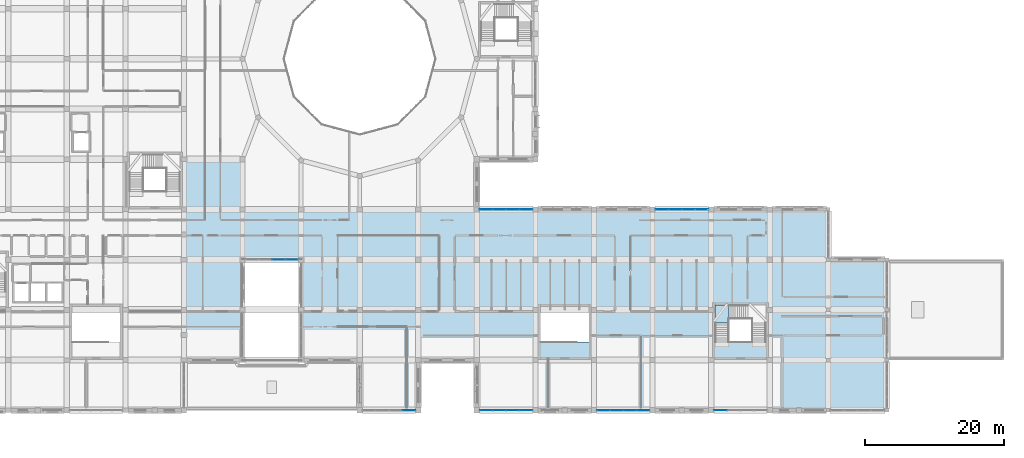
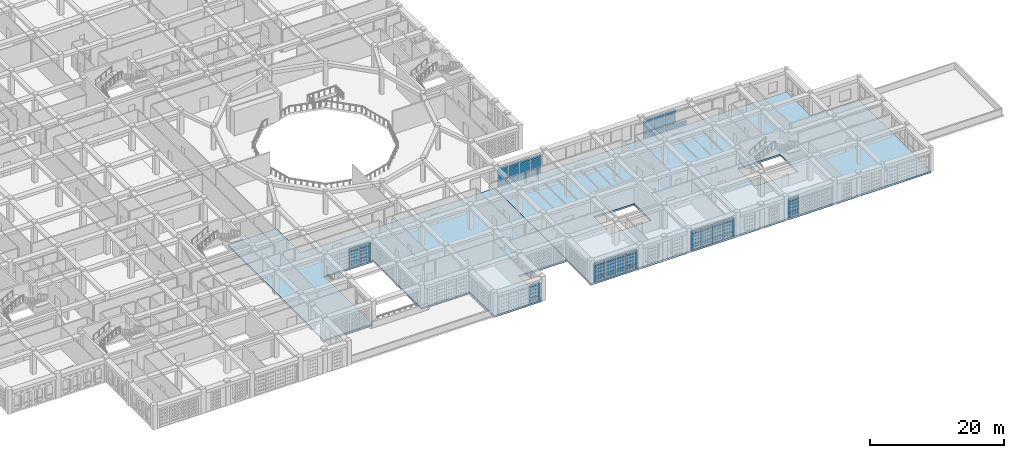
# One storey, part 51 of 111: 58 plates, 3 slabs, 8 elements without a shape of their own.
"""IFC4 building model written with IfcOpenShell, lengths in metres."""

from ifc_helpers import new_model, si_unit, derived_unit, direction, frame, origin, origin_2d, place, context, subcontext, project, spatial, polyline, rectangle, outline, extrude, material, layer, layer_set, type_object, element, aggregate, save


model = new_model("IFC4")

# Units and contexts
model_context = context("Model", 3, precision=1e-05, world=origin(), true_north=direction((0.0, 1.0)))
body_context = subcontext(model_context, "Body", "Model", "MODEL_VIEW")
ifc_project = project(units=[si_unit("LENGTHUNIT", "METRE"), si_unit("AREAUNIT", "SQUARE_METRE"), si_unit("VOLUMEUNIT", "CUBIC_METRE"), si_unit("PLANEANGLEUNIT", "RADIAN"), si_unit("MASSUNIT", "GRAM", prefix="KILO"), derived_unit("THERMALTRANSMITTANCEUNIT", [(si_unit("POWERUNIT", "WATT"), 1), (si_unit("LENGTHUNIT", "METRE"), -2), (si_unit("THERMODYNAMICTEMPERATUREUNIT", "KELVIN"), -1)])], contexts=[model_context])

# Site, building, storey
site_placement = place(None, origin())
site = spatial("IfcSite", under=ifc_project, at=site_placement, CompositionType="ELEMENT")
building_placement = place(site_placement, origin())
building = spatial("IfcBuilding", under=site, at=building_placement, Name="Veybourne Emporium", CompositionType="ELEMENT")
storey_placement = place(building_placement, frame((0.0, 0.0, 9.89990234375)))
storey = spatial("IfcBuildingStorey", under=building, at=storey_placement, Name="L02", CompositionType="ELEMENT", Elevation=9.89990234375)

# Curtain wall, plates
ifc_material_1 = material(Name="Patinated Architectural Bronze", Category="bronze")
curtain_wall_type_1 = type_object("IfcCurtainWallType", Name="CWSystem_CWS-15", PredefinedType="NOTDEFINED", material=ifc_material_1)
curtain_wall_1_placement = place(storey_placement, origin())
curtain_wall_1 = element("IfcCurtainWall", 1, at=curtain_wall_1_placement, inside=storey, type_object=curtain_wall_type_1, Name="L02 bronze glazed curtain wall CWS-15 (033)", PredefinedType="NOTDEFINED")
ifc_material_2 = material(Name="Low-E Triple Glazing", Category="glass")
ifc_layer_1 = layer(ifc_material_2, 0.028076171875)
ifc_layer_set_1 = layer_set([ifc_layer_1], Name="Low-E Triple Glazing")
plate_type = type_object("IfcPlateType", Name="CWPanel_CW-P1", PredefinedType="CURTAIN_PANEL", material=ifc_layer_set_1)
plate_1_placement = place(storey_placement, frame((65.849365234375, 21.60009765625, 0.078125), z_axis=(0.0, 0.0, 1.0), x_axis=(-1.0, 0.0, 0.0)))
plate_1 = element("IfcPlate", 2, at=plate_1_placement, type_object=plate_type, Name="CWS-15 panel 1.1", PredefinedType="CURTAIN_PANEL", context=body_context, shape_type="SweptSolid", body=[
    extrude(rectangle(XDim=1.79541015625, YDim=0.028076171875, at=origin_2d()), origin(), (0.0, 0.0, 1.0), 0.782958984375),
])
plate_2_placement = place(storey_placement, frame((65.849365234375, 21.60009765625, 0.93896484375), z_axis=(0.0, 0.0, 1.0), x_axis=(-1.0, 0.0, 0.0)))
plate_2 = element("IfcPlate", 3, at=plate_2_placement, type_object=plate_type, Name="CWS-15 panel 1.2", PredefinedType="CURTAIN_PANEL", context=body_context, shape_type="SweptSolid", body=[
    extrude(rectangle(XDim=1.79541015625, YDim=0.028076171875, at=origin_2d()), origin(), (0.0, 0.0, 1.0), 1.902099609375),
])
plate_3_placement = place(storey_placement, frame((65.849365234375, 21.60009765625, 2.9189453125), z_axis=(0.0, 0.0, 1.0), x_axis=(-1.0, 0.0, 0.0)))
plate_3 = element("IfcPlate", 4, at=plate_3_placement, type_object=plate_type, Name="CWS-15 panel 1.3", PredefinedType="CURTAIN_PANEL", context=body_context, shape_type="SweptSolid", body=[
    extrude(rectangle(XDim=1.79541015625, YDim=0.028076171875, at=origin_2d()), origin(), (0.0, 0.0, 1.0), 0.633056640625),
])
plate_4_placement = place(storey_placement, frame((63.956298828125, 21.60009765625, 0.078125), z_axis=(0.0, 0.0, 1.0), x_axis=(-1.0, 0.0, 0.0)))
plate_4 = element("IfcPlate", 5, at=plate_4_placement, type_object=plate_type, Name="CWS-15 panel 2.1", PredefinedType="CURTAIN_PANEL", context=body_context, shape_type="SweptSolid", body=[
    extrude(rectangle(XDim=1.83447265625, YDim=0.028076171875, at=origin_2d()), origin(), (0.0, 0.0, 1.0), 0.782958984375),
])
plate_5_placement = place(storey_placement, frame((63.956298828125, 21.60009765625, 0.93896484375), z_axis=(0.0, 0.0, 1.0), x_axis=(-1.0, 0.0, 0.0)))
plate_5 = element("IfcPlate", 6, at=plate_5_placement, type_object=plate_type, Name="CWS-15 panel 2.2", PredefinedType="CURTAIN_PANEL", context=body_context, shape_type="SweptSolid", body=[
    extrude(rectangle(XDim=1.83447265625, YDim=0.028076171875, at=origin_2d()), origin(), (0.0, 0.0, 1.0), 1.902099609375),
])
plate_6_placement = place(storey_placement, frame((63.956298828125, 21.60009765625, 2.9189453125), z_axis=(0.0, 0.0, 1.0), x_axis=(-1.0, 0.0, 0.0)))
plate_6 = element("IfcPlate", 7, at=plate_6_placement, type_object=plate_type, Name="CWS-15 panel 2.3", PredefinedType="CURTAIN_PANEL", context=body_context, shape_type="SweptSolid", body=[
    extrude(rectangle(XDim=1.83447265625, YDim=0.028076171875, at=origin_2d()), origin(), (0.0, 0.0, 1.0), 0.633056640625),
])
aggregate(curtain_wall_1, [plate_1, plate_2, plate_3, plate_4, plate_5, plate_6])

curtain_wall_type_2 = type_object("IfcCurtainWallType", Name="CWSystem_CWS-17", PredefinedType="NOTDEFINED", material=ifc_material_1)
curtain_wall_2_placement = place(storey_placement, origin())
curtain_wall_2 = element("IfcCurtainWall", 8, at=curtain_wall_2_placement, inside=storey, type_object=curtain_wall_type_2, Name="L02 bronze glazed curtain wall CWS-17 (039)", PredefinedType="NOTDEFINED")
plate_7_placement = place(storey_placement, frame((82.650634765625, 0.0, 0.072021484375), z_axis=(0.0, 0.0, 1.0), x_axis=(-1.0, 0.0, 0.0)))
plate_7 = element("IfcPlate", 9, at=plate_7_placement, type_object=plate_type, Name="CWS-17 panel 1.1", PredefinedType="CURTAIN_PANEL", context=body_context, shape_type="SweptSolid", body=[
    extrude(rectangle(XDim=1.804443359375, YDim=0.028076171875, at=origin_2d()), origin(), (0.0, 0.0, 1.0), 0.7919921875),
])
plate_8_placement = place(storey_placement, frame((82.650634765625, 0.0, 0.93603515625), z_axis=(0.0, 0.0, 1.0), x_axis=(-1.0, 0.0, 0.0)))
plate_8 = element("IfcPlate", 10, at=plate_8_placement, type_object=plate_type, Name="CWS-17 panel 1.2", PredefinedType="CURTAIN_PANEL", context=body_context, shape_type="SweptSolid", body=[
    extrude(rectangle(XDim=1.804443359375, YDim=0.028076171875, at=origin_2d()), origin(), (0.0, 0.0, 1.0), 1.907958984375),
])
plate_9_placement = place(storey_placement, frame((82.650634765625, 0.0, 2.916015625), z_axis=(0.0, 0.0, 1.0), x_axis=(-1.0, 0.0, 0.0)))
plate_9 = element("IfcPlate", 11, at=plate_9_placement, type_object=plate_type, Name="CWS-17 panel 1.3", PredefinedType="CURTAIN_PANEL", context=body_context, shape_type="SweptSolid", body=[
    extrude(rectangle(XDim=1.804443359375, YDim=0.028076171875, at=origin_2d()), origin(), (0.0, 0.0, 1.0), 0.64208984375),
])
aggregate(curtain_wall_2, [plate_7, plate_8, plate_9])

curtain_wall_type_3 = type_object("IfcCurtainWallType", Name="CWSystem_CWS-19", PredefinedType="NOTDEFINED", material=ifc_material_1)
curtain_wall_3_placement = place(storey_placement, origin())
curtain_wall_3 = element("IfcCurtainWall", 12, at=curtain_wall_3_placement, inside=storey, type_object=curtain_wall_type_3, Name="L02 bronze glazed curtain wall CWS-19 (046)", PredefinedType="NOTDEFINED")
plate_10_placement = place(storey_placement, frame((99.44921875, 0.0, 0.078125), z_axis=(0.0, 0.0, 1.0), x_axis=(-1.0, 0.0, 0.0)))
plate_10 = element("IfcPlate", 13, at=plate_10_placement, type_object=plate_type, Name="CWS-19 panel 1.1", PredefinedType="CURTAIN_PANEL", context=body_context, shape_type="SweptSolid", body=[
    extrude(rectangle(XDim=1.79541015625, YDim=0.028076171875, at=origin_2d()), origin(), (0.0, 0.0, 1.0), 0.782958984375),
])
plate_11_placement = place(storey_placement, frame((99.44921875, 0.0, 0.93896484375), z_axis=(0.0, 0.0, 1.0), x_axis=(-1.0, 0.0, 0.0)))
plate_11 = element("IfcPlate", 14, at=plate_11_placement, type_object=plate_type, Name="CWS-19 panel 1.2", PredefinedType="CURTAIN_PANEL", context=body_context, shape_type="SweptSolid", body=[
    extrude(rectangle(XDim=1.79541015625, YDim=0.028076171875, at=origin_2d()), origin(), (0.0, 0.0, 1.0), 1.902099609375),
])
plate_12_placement = place(storey_placement, frame((99.44921875, 0.0, 2.9189453125), z_axis=(0.0, 0.0, 1.0), x_axis=(-1.0, 0.0, 0.0)))
plate_12 = element("IfcPlate", 15, at=plate_12_placement, type_object=plate_type, Name="CWS-19 panel 1.3", PredefinedType="CURTAIN_PANEL", context=body_context, shape_type="SweptSolid", body=[
    extrude(rectangle(XDim=1.79541015625, YDim=0.028076171875, at=origin_2d()), origin(), (0.0, 0.0, 1.0), 0.633056640625),
])
plate_13_placement = place(storey_placement, frame((97.55615234375, 0.0, 0.078125), z_axis=(0.0, 0.0, 1.0), x_axis=(-1.0, 0.0, 0.0)))
plate_13 = element("IfcPlate", 16, at=plate_13_placement, type_object=plate_type, Name="CWS-19 panel 2.1", PredefinedType="CURTAIN_PANEL", context=body_context, shape_type="SweptSolid", body=[
    extrude(rectangle(XDim=1.83447265625, YDim=0.028076171875, at=origin_2d()), origin(), (0.0, 0.0, 1.0), 0.782958984375),
])
plate_14_placement = place(storey_placement, frame((97.55615234375, 0.0, 0.93896484375), z_axis=(0.0, 0.0, 1.0), x_axis=(-1.0, 0.0, 0.0)))
plate_14 = element("IfcPlate", 17, at=plate_14_placement, type_object=plate_type, Name="CWS-19 panel 2.2", PredefinedType="CURTAIN_PANEL", context=body_context, shape_type="SweptSolid", body=[
    extrude(rectangle(XDim=1.83447265625, YDim=0.028076171875, at=origin_2d()), origin(), (0.0, 0.0, 1.0), 1.902099609375),
])
plate_15_placement = place(storey_placement, frame((97.55615234375, 0.0, 2.9189453125), z_axis=(0.0, 0.0, 1.0), x_axis=(-1.0, 0.0, 0.0)))
plate_15 = element("IfcPlate", 18, at=plate_15_placement, type_object=plate_type, Name="CWS-19 panel 2.3", PredefinedType="CURTAIN_PANEL", context=body_context, shape_type="SweptSolid", body=[
    extrude(rectangle(XDim=1.83447265625, YDim=0.028076171875, at=origin_2d()), origin(), (0.0, 0.0, 1.0), 0.633056640625),
])
plate_16_placement = place(storey_placement, frame((95.643798828125, 0.0, 0.078125), z_axis=(0.0, 0.0, 1.0), x_axis=(-1.0, 0.0, 0.0)))
plate_16 = element("IfcPlate", 19, at=plate_16_placement, type_object=plate_type, Name="CWS-19 panel 3.1", PredefinedType="CURTAIN_PANEL", context=body_context, shape_type="SweptSolid", body=[
    extrude(rectangle(XDim=1.83447265625, YDim=0.028076171875, at=origin_2d()), origin(), (0.0, 0.0, 1.0), 0.782958984375),
])
plate_17_placement = place(storey_placement, frame((95.643798828125, 0.0, 0.93896484375), z_axis=(0.0, 0.0, 1.0), x_axis=(-1.0, 0.0, 0.0)))
plate_17 = element("IfcPlate", 20, at=plate_17_placement, type_object=plate_type, Name="CWS-19 panel 3.2", PredefinedType="CURTAIN_PANEL", context=body_context, shape_type="SweptSolid", body=[
    extrude(rectangle(XDim=1.83447265625, YDim=0.028076171875, at=origin_2d()), origin(), (0.0, 0.0, 1.0), 1.902099609375),
])
plate_18_placement = place(storey_placement, frame((95.643798828125, 0.0, 2.9189453125), z_axis=(0.0, 0.0, 1.0), x_axis=(-1.0, 0.0, 0.0)))
plate_18 = element("IfcPlate", 21, at=plate_18_placement, type_object=plate_type, Name="CWS-19 panel 3.3", PredefinedType="CURTAIN_PANEL", context=body_context, shape_type="SweptSolid", body=[
    extrude(rectangle(XDim=1.83447265625, YDim=0.028076171875, at=origin_2d()), origin(), (0.0, 0.0, 1.0), 0.633056640625),
])
plate_19_placement = place(storey_placement, frame((93.750732421875, 0.0, 0.078125), z_axis=(0.0, 0.0, 1.0), x_axis=(-1.0, 0.0, 0.0)))
plate_19 = element("IfcPlate", 22, at=plate_19_placement, type_object=plate_type, Name="CWS-19 panel 4.1", PredefinedType="CURTAIN_PANEL", context=body_context, shape_type="SweptSolid", body=[
    extrude(rectangle(XDim=1.79541015625, YDim=0.028076171875, at=origin_2d()), origin(), (0.0, 0.0, 1.0), 0.782958984375),
])
plate_20_placement = place(storey_placement, frame((93.750732421875, 0.0, 0.93896484375), z_axis=(0.0, 0.0, 1.0), x_axis=(-1.0, 0.0, 0.0)))
plate_20 = element("IfcPlate", 23, at=plate_20_placement, type_object=plate_type, Name="CWS-19 panel 4.2", PredefinedType="CURTAIN_PANEL", context=body_context, shape_type="SweptSolid", body=[
    extrude(rectangle(XDim=1.79541015625, YDim=0.028076171875, at=origin_2d()), origin(), (0.0, 0.0, 1.0), 1.902099609375),
])
plate_21_placement = place(storey_placement, frame((93.750732421875, 0.0, 2.9189453125), z_axis=(0.0, 0.0, 1.0), x_axis=(-1.0, 0.0, 0.0)))
plate_21 = element("IfcPlate", 24, at=plate_21_placement, type_object=plate_type, Name="CWS-19 panel 4.3", PredefinedType="CURTAIN_PANEL", context=body_context, shape_type="SweptSolid", body=[
    extrude(rectangle(XDim=1.79541015625, YDim=0.028076171875, at=origin_2d()), origin(), (0.0, 0.0, 1.0), 0.633056640625),
])
aggregate(curtain_wall_3, [plate_10, plate_11, plate_12, plate_13, plate_14, plate_15, plate_16, plate_17, plate_18, plate_19, plate_20, plate_21])

curtain_wall_type_4 = type_object("IfcCurtainWallType", Name="CWSystem_CWS-20", PredefinedType="NOTDEFINED", material=ifc_material_1)
curtain_wall_4_placement = place(storey_placement, origin())
curtain_wall_4 = element("IfcCurtainWall", 25, at=curtain_wall_4_placement, inside=storey, type_object=curtain_wall_type_4, Name="L02 bronze glazed curtain wall CWS-20 (048)", PredefinedType="NOTDEFINED")
plate_22_placement = place(storey_placement, frame((93.748779296875, 28.800048828125, 0.070068359375), z_axis=(0.0, 0.0, 1.0), x_axis=(1.0, 0.0, 0.0)))
plate_22 = element("IfcPlate", 26, at=plate_22_placement, type_object=plate_type, Name="CWS-20 panel 1.1", PredefinedType="CURTAIN_PANEL", context=body_context, shape_type="SweptSolid", body=[
    extrude(rectangle(XDim=1.8076171875, YDim=0.028076171875, at=origin_2d()), origin(), (0.0, 0.0, 1.0), 0.794921875),
])
plate_23_placement = place(storey_placement, frame((93.748779296875, 28.800048828125, 0.93505859375), z_axis=(0.0, 0.0, 1.0), x_axis=(1.0, 0.0, 0.0)))
plate_23 = element("IfcPlate", 27, at=plate_23_placement, type_object=plate_type, Name="CWS-20 panel 1.2", PredefinedType="CURTAIN_PANEL", context=body_context, shape_type="SweptSolid", body=[
    extrude(rectangle(XDim=1.8076171875, YDim=0.028076171875, at=origin_2d()), origin(), (0.0, 0.0, 1.0), 1.909912109375),
])
plate_24_placement = place(storey_placement, frame((93.748779296875, 28.800048828125, 2.9150390625), z_axis=(0.0, 0.0, 1.0), x_axis=(1.0, 0.0, 0.0)))
plate_24 = element("IfcPlate", 28, at=plate_24_placement, type_object=plate_type, Name="CWS-20 panel 1.3", PredefinedType="CURTAIN_PANEL", context=body_context, shape_type="SweptSolid", body=[
    extrude(rectangle(XDim=1.8076171875, YDim=0.028076171875, at=origin_2d()), origin(), (0.0, 0.0, 1.0), 0.64501953125),
])
plate_25_placement = place(storey_placement, frame((95.643798828125, 28.800048828125, 0.070068359375), z_axis=(0.0, 0.0, 1.0), x_axis=(1.0, 0.0, 0.0)))
plate_25 = element("IfcPlate", 29, at=plate_25_placement, type_object=plate_type, Name="CWS-20 panel 2.1", PredefinedType="CURTAIN_PANEL", context=body_context, shape_type="SweptSolid", body=[
    extrude(rectangle(XDim=1.842529296875, YDim=0.028076171875, at=origin_2d()), origin(), (0.0, 0.0, 1.0), 0.794921875),
])
plate_26_placement = place(storey_placement, frame((95.643798828125, 28.800048828125, 0.93505859375), z_axis=(0.0, 0.0, 1.0), x_axis=(1.0, 0.0, 0.0)))
plate_26 = element("IfcPlate", 30, at=plate_26_placement, type_object=plate_type, Name="CWS-20 panel 2.2", PredefinedType="CURTAIN_PANEL", context=body_context, shape_type="SweptSolid", body=[
    extrude(rectangle(XDim=1.842529296875, YDim=0.028076171875, at=origin_2d()), origin(), (0.0, 0.0, 1.0), 1.909912109375),
])
plate_27_placement = place(storey_placement, frame((95.643798828125, 28.800048828125, 2.9150390625), z_axis=(0.0, 0.0, 1.0), x_axis=(1.0, 0.0, 0.0)))
plate_27 = element("IfcPlate", 31, at=plate_27_placement, type_object=plate_type, Name="CWS-20 panel 2.3", PredefinedType="CURTAIN_PANEL", context=body_context, shape_type="SweptSolid", body=[
    extrude(rectangle(XDim=1.842529296875, YDim=0.028076171875, at=origin_2d()), origin(), (0.0, 0.0, 1.0), 0.64501953125),
])
plate_28_placement = place(storey_placement, frame((97.55615234375, 28.800048828125, 0.070068359375), z_axis=(0.0, 0.0, 1.0), x_axis=(1.0, 0.0, 0.0)))
plate_28 = element("IfcPlate", 32, at=plate_28_placement, type_object=plate_type, Name="CWS-20 panel 3.1", PredefinedType="CURTAIN_PANEL", context=body_context, shape_type="SweptSolid", body=[
    extrude(rectangle(XDim=1.842529296875, YDim=0.028076171875, at=origin_2d()), origin(), (0.0, 0.0, 1.0), 0.794921875),
])
plate_29_placement = place(storey_placement, frame((97.55615234375, 28.800048828125, 0.93505859375), z_axis=(0.0, 0.0, 1.0), x_axis=(1.0, 0.0, 0.0)))
plate_29 = element("IfcPlate", 33, at=plate_29_placement, type_object=plate_type, Name="CWS-20 panel 3.2", PredefinedType="CURTAIN_PANEL", context=body_context, shape_type="SweptSolid", body=[
    extrude(rectangle(XDim=1.842529296875, YDim=0.028076171875, at=origin_2d()), origin(), (0.0, 0.0, 1.0), 1.909912109375),
])
plate_30_placement = place(storey_placement, frame((97.55615234375, 28.800048828125, 2.9150390625), z_axis=(0.0, 0.0, 1.0), x_axis=(1.0, 0.0, 0.0)))
plate_30 = element("IfcPlate", 34, at=plate_30_placement, type_object=plate_type, Name="CWS-20 panel 3.3", PredefinedType="CURTAIN_PANEL", context=body_context, shape_type="SweptSolid", body=[
    extrude(rectangle(XDim=1.842529296875, YDim=0.028076171875, at=origin_2d()), origin(), (0.0, 0.0, 1.0), 0.64501953125),
])
plate_31_placement = place(storey_placement, frame((99.451171875, 28.800048828125, 0.070068359375), z_axis=(0.0, 0.0, 1.0), x_axis=(1.0, 0.0, 0.0)))
plate_31 = element("IfcPlate", 35, at=plate_31_placement, type_object=plate_type, Name="CWS-20 panel 4.1", PredefinedType="CURTAIN_PANEL", context=body_context, shape_type="SweptSolid", body=[
    extrude(rectangle(XDim=1.8076171875, YDim=0.028076171875, at=origin_2d()), origin(), (0.0, 0.0, 1.0), 0.794921875),
])
plate_32_placement = place(storey_placement, frame((99.451171875, 28.800048828125, 0.93505859375), z_axis=(0.0, 0.0, 1.0), x_axis=(1.0, 0.0, 0.0)))
plate_32 = element("IfcPlate", 36, at=plate_32_placement, type_object=plate_type, Name="CWS-20 panel 4.2", PredefinedType="CURTAIN_PANEL", context=body_context, shape_type="SweptSolid", body=[
    extrude(rectangle(XDim=1.8076171875, YDim=0.028076171875, at=origin_2d()), origin(), (0.0, 0.0, 1.0), 1.909912109375),
])
plate_33_placement = place(storey_placement, frame((99.451171875, 28.800048828125, 2.9150390625), z_axis=(0.0, 0.0, 1.0), x_axis=(1.0, 0.0, 0.0)))
plate_33 = element("IfcPlate", 37, at=plate_33_placement, type_object=plate_type, Name="CWS-20 panel 4.3", PredefinedType="CURTAIN_PANEL", context=body_context, shape_type="SweptSolid", body=[
    extrude(rectangle(XDim=1.8076171875, YDim=0.028076171875, at=origin_2d()), origin(), (0.0, 0.0, 1.0), 0.64501953125),
])
aggregate(curtain_wall_4, [plate_22, plate_23, plate_24, plate_25, plate_26, plate_27, plate_28, plate_29, plate_30, plate_31, plate_32, plate_33])

curtain_wall_type_5 = type_object("IfcCurtainWallType", Name="CWSystem_CWS-25", PredefinedType="NOTDEFINED", material=ifc_material_1)
curtain_wall_5_placement = place(storey_placement, origin())
curtain_wall_5 = element("IfcCurtainWall", 38, at=curtain_wall_5_placement, inside=storey, type_object=curtain_wall_type_5, Name="L02 bronze glazed curtain wall CWS-25 (063)", PredefinedType="NOTDEFINED")
plate_34_placement = place(storey_placement, frame((116.250732421875, 0.0, 0.072021484375), z_axis=(0.0, 0.0, 1.0), x_axis=(-1.0, 0.0, 0.0)))
plate_34 = element("IfcPlate", 39, at=plate_34_placement, type_object=plate_type, Name="CWS-25 panel 1.1", PredefinedType="CURTAIN_PANEL", context=body_context, shape_type="SweptSolid", body=[
    extrude(rectangle(XDim=1.804443359375, YDim=0.028076171875, at=origin_2d()), origin(), (0.0, 0.0, 1.0), 0.7919921875),
])
plate_35_placement = place(storey_placement, frame((116.250732421875, 0.0, 0.93603515625), z_axis=(0.0, 0.0, 1.0), x_axis=(-1.0, 0.0, 0.0)))
plate_35 = element("IfcPlate", 40, at=plate_35_placement, type_object=plate_type, Name="CWS-25 panel 1.2", PredefinedType="CURTAIN_PANEL", context=body_context, shape_type="SweptSolid", body=[
    extrude(rectangle(XDim=1.804443359375, YDim=0.028076171875, at=origin_2d()), origin(), (0.0, 0.0, 1.0), 1.907958984375),
])
plate_36_placement = place(storey_placement, frame((116.250732421875, 0.0, 2.916015625), z_axis=(0.0, 0.0, 1.0), x_axis=(-1.0, 0.0, 0.0)))
plate_36 = element("IfcPlate", 41, at=plate_36_placement, type_object=plate_type, Name="CWS-25 panel 1.3", PredefinedType="CURTAIN_PANEL", context=body_context, shape_type="SweptSolid", body=[
    extrude(rectangle(XDim=1.804443359375, YDim=0.028076171875, at=origin_2d()), origin(), (0.0, 0.0, 1.0), 0.64208984375),
])
plate_37_placement = place(storey_placement, frame((114.356201171875, 0.0, 0.072021484375), z_axis=(0.0, 0.0, 1.0), x_axis=(-1.0, 0.0, 0.0)))
plate_37 = element("IfcPlate", 42, at=plate_37_placement, type_object=plate_type, Name="CWS-25 panel 2.1", PredefinedType="CURTAIN_PANEL", context=body_context, shape_type="SweptSolid", body=[
    extrude(rectangle(XDim=1.840576171875, YDim=0.028076171875, at=origin_2d()), origin(), (0.0, 0.0, 1.0), 0.7919921875),
])
plate_38_placement = place(storey_placement, frame((114.356201171875, 0.0, 0.93603515625), z_axis=(0.0, 0.0, 1.0), x_axis=(-1.0, 0.0, 0.0)))
plate_38 = element("IfcPlate", 43, at=plate_38_placement, type_object=plate_type, Name="CWS-25 panel 2.2", PredefinedType="CURTAIN_PANEL", context=body_context, shape_type="SweptSolid", body=[
    extrude(rectangle(XDim=1.840576171875, YDim=0.028076171875, at=origin_2d()), origin(), (0.0, 0.0, 1.0), 1.907958984375),
])
plate_39_placement = place(storey_placement, frame((114.356201171875, 0.0, 2.916015625), z_axis=(0.0, 0.0, 1.0), x_axis=(-1.0, 0.0, 0.0)))
plate_39 = element("IfcPlate", 44, at=plate_39_placement, type_object=plate_type, Name="CWS-25 panel 2.3", PredefinedType="CURTAIN_PANEL", context=body_context, shape_type="SweptSolid", body=[
    extrude(rectangle(XDim=1.840576171875, YDim=0.028076171875, at=origin_2d()), origin(), (0.0, 0.0, 1.0), 0.64208984375),
])
plate_40_placement = place(storey_placement, frame((112.44384765625, 0.0, 0.072021484375), z_axis=(0.0, 0.0, 1.0), x_axis=(-1.0, 0.0, 0.0)))
plate_40 = element("IfcPlate", 45, at=plate_40_placement, type_object=plate_type, Name="CWS-25 panel 3.1", PredefinedType="CURTAIN_PANEL", context=body_context, shape_type="SweptSolid", body=[
    extrude(rectangle(XDim=1.840576171875, YDim=0.028076171875, at=origin_2d()), origin(), (0.0, 0.0, 1.0), 0.7919921875),
])
plate_41_placement = place(storey_placement, frame((112.44384765625, 0.0, 0.93603515625), z_axis=(0.0, 0.0, 1.0), x_axis=(-1.0, 0.0, 0.0)))
plate_41 = element("IfcPlate", 46, at=plate_41_placement, type_object=plate_type, Name="CWS-25 panel 3.2", PredefinedType="CURTAIN_PANEL", context=body_context, shape_type="SweptSolid", body=[
    extrude(rectangle(XDim=1.840576171875, YDim=0.028076171875, at=origin_2d()), origin(), (0.0, 0.0, 1.0), 1.907958984375),
])
plate_42_placement = place(storey_placement, frame((112.44384765625, 0.0, 2.916015625), z_axis=(0.0, 0.0, 1.0), x_axis=(-1.0, 0.0, 0.0)))
plate_42 = element("IfcPlate", 47, at=plate_42_placement, type_object=plate_type, Name="CWS-25 panel 3.3", PredefinedType="CURTAIN_PANEL", context=body_context, shape_type="SweptSolid", body=[
    extrude(rectangle(XDim=1.840576171875, YDim=0.028076171875, at=origin_2d()), origin(), (0.0, 0.0, 1.0), 0.64208984375),
])
plate_43_placement = place(storey_placement, frame((110.54931640625, 0.0, 0.072021484375), z_axis=(0.0, 0.0, 1.0), x_axis=(-1.0, 0.0, 0.0)))
plate_43 = element("IfcPlate", 48, at=plate_43_placement, type_object=plate_type, Name="CWS-25 panel 4.1", PredefinedType="CURTAIN_PANEL", context=body_context, shape_type="SweptSolid", body=[
    extrude(rectangle(XDim=1.804443359375, YDim=0.028076171875, at=origin_2d()), origin(), (0.0, 0.0, 1.0), 0.7919921875),
])
plate_44_placement = place(storey_placement, frame((110.54931640625, 0.0, 0.93603515625), z_axis=(0.0, 0.0, 1.0), x_axis=(-1.0, 0.0, 0.0)))
plate_44 = element("IfcPlate", 49, at=plate_44_placement, type_object=plate_type, Name="CWS-25 panel 4.2", PredefinedType="CURTAIN_PANEL", context=body_context, shape_type="SweptSolid", body=[
    extrude(rectangle(XDim=1.804443359375, YDim=0.028076171875, at=origin_2d()), origin(), (0.0, 0.0, 1.0), 1.907958984375),
])
plate_45_placement = place(storey_placement, frame((110.54931640625, 0.0, 2.916015625), z_axis=(0.0, 0.0, 1.0), x_axis=(-1.0, 0.0, 0.0)))
plate_45 = element("IfcPlate", 50, at=plate_45_placement, type_object=plate_type, Name="CWS-25 panel 4.3", PredefinedType="CURTAIN_PANEL", context=body_context, shape_type="SweptSolid", body=[
    extrude(rectangle(XDim=1.804443359375, YDim=0.028076171875, at=origin_2d()), origin(), (0.0, 0.0, 1.0), 0.64208984375),
])
aggregate(curtain_wall_5, [plate_34, plate_35, plate_36, plate_37, plate_38, plate_39, plate_40, plate_41, plate_42, plate_43, plate_44, plate_45])

curtain_wall_type_6 = type_object("IfcCurtainWallType", Name="CWSystem_CWS-26", PredefinedType="NOTDEFINED", material=ifc_material_1)
curtain_wall_6_placement = place(storey_placement, origin())
curtain_wall_6 = element("IfcCurtainWall", 51, at=curtain_wall_6_placement, inside=storey, type_object=curtain_wall_type_6, Name="L02 bronze glazed curtain wall CWS-26 (066)", PredefinedType="NOTDEFINED")
plate_46_placement = place(storey_placement, frame((118.949951171875, 28.800048828125, 0.074951171875), z_axis=(0.0, 0.0, 1.0), x_axis=(1.0, 0.0, 0.0)))
plate_46 = element("IfcPlate", 52, at=plate_46_placement, type_object=plate_type, Name="CWS-26 panel 1.1", PredefinedType="CURTAIN_PANEL", context=body_context, shape_type="SweptSolid", body=[
    extrude(rectangle(XDim=1.800048828125, YDim=0.028076171875, at=origin_2d()), origin(), (0.0, 0.0, 1.0), 0.78759765625),
])
plate_47_placement = place(storey_placement, frame((118.949951171875, 28.800048828125, 0.9375), z_axis=(0.0, 0.0, 1.0), x_axis=(1.0, 0.0, 0.0)))
plate_47 = element("IfcPlate", 53, at=plate_47_placement, type_object=plate_type, Name="CWS-26 panel 1.2", PredefinedType="CURTAIN_PANEL", context=body_context, shape_type="SweptSolid", body=[
    extrude(rectangle(XDim=1.800048828125, YDim=0.028076171875, at=origin_2d()), origin(), (0.0, 0.0, 1.0), 1.905029296875),
])
plate_48_placement = place(storey_placement, frame((118.949951171875, 28.800048828125, 2.91748046875), z_axis=(0.0, 0.0, 1.0), x_axis=(1.0, 0.0, 0.0)))
plate_48 = element("IfcPlate", 54, at=plate_48_placement, type_object=plate_type, Name="CWS-26 panel 1.3", PredefinedType="CURTAIN_PANEL", context=body_context, shape_type="SweptSolid", body=[
    extrude(rectangle(XDim=1.800048828125, YDim=0.028076171875, at=origin_2d()), origin(), (0.0, 0.0, 1.0), 0.637451171875),
])
plate_49_placement = place(storey_placement, frame((120.84375, 28.800048828125, 0.074951171875), z_axis=(0.0, 0.0, 1.0), x_axis=(1.0, 0.0, 0.0)))
plate_49 = element("IfcPlate", 55, at=plate_49_placement, type_object=plate_type, Name="CWS-26 panel 2.1", PredefinedType="CURTAIN_PANEL", context=body_context, shape_type="SweptSolid", body=[
    extrude(rectangle(XDim=1.83740234375, YDim=0.028076171875, at=origin_2d()), origin(), (0.0, 0.0, 1.0), 0.78759765625),
])
plate_50_placement = place(storey_placement, frame((120.84375, 28.800048828125, 0.9375), z_axis=(0.0, 0.0, 1.0), x_axis=(1.0, 0.0, 0.0)))
plate_50 = element("IfcPlate", 56, at=plate_50_placement, type_object=plate_type, Name="CWS-26 panel 2.2", PredefinedType="CURTAIN_PANEL", context=body_context, shape_type="SweptSolid", body=[
    extrude(rectangle(XDim=1.83740234375, YDim=0.028076171875, at=origin_2d()), origin(), (0.0, 0.0, 1.0), 1.905029296875),
])
plate_51_placement = place(storey_placement, frame((120.84375, 28.800048828125, 2.91748046875), z_axis=(0.0, 0.0, 1.0), x_axis=(1.0, 0.0, 0.0)))
plate_51 = element("IfcPlate", 57, at=plate_51_placement, type_object=plate_type, Name="CWS-26 panel 2.3", PredefinedType="CURTAIN_PANEL", context=body_context, shape_type="SweptSolid", body=[
    extrude(rectangle(XDim=1.83740234375, YDim=0.028076171875, at=origin_2d()), origin(), (0.0, 0.0, 1.0), 0.637451171875),
])
plate_52_placement = place(storey_placement, frame((122.75634765625, 28.800048828125, 0.074951171875), z_axis=(0.0, 0.0, 1.0), x_axis=(1.0, 0.0, 0.0)))
plate_52 = element("IfcPlate", 58, at=plate_52_placement, type_object=plate_type, Name="CWS-26 panel 3.1", PredefinedType="CURTAIN_PANEL", context=body_context, shape_type="SweptSolid", body=[
    extrude(rectangle(XDim=1.83740234375, YDim=0.028076171875, at=origin_2d()), origin(), (0.0, 0.0, 1.0), 0.78759765625),
])
plate_53_placement = place(storey_placement, frame((122.75634765625, 28.800048828125, 0.9375), z_axis=(0.0, 0.0, 1.0), x_axis=(1.0, 0.0, 0.0)))
plate_53 = element("IfcPlate", 59, at=plate_53_placement, type_object=plate_type, Name="CWS-26 panel 3.2", PredefinedType="CURTAIN_PANEL", context=body_context, shape_type="SweptSolid", body=[
    extrude(rectangle(XDim=1.83740234375, YDim=0.028076171875, at=origin_2d()), origin(), (0.0, 0.0, 1.0), 1.905029296875),
])
plate_54_placement = place(storey_placement, frame((122.75634765625, 28.800048828125, 2.91748046875), z_axis=(0.0, 0.0, 1.0), x_axis=(1.0, 0.0, 0.0)))
plate_54 = element("IfcPlate", 60, at=plate_54_placement, type_object=plate_type, Name="CWS-26 panel 3.3", PredefinedType="CURTAIN_PANEL", context=body_context, shape_type="SweptSolid", body=[
    extrude(rectangle(XDim=1.83740234375, YDim=0.028076171875, at=origin_2d()), origin(), (0.0, 0.0, 1.0), 0.637451171875),
])
plate_55_placement = place(storey_placement, frame((124.64990234375, 28.800048828125, 0.074951171875), z_axis=(0.0, 0.0, 1.0), x_axis=(1.0, 0.0, 0.0)))
plate_55 = element("IfcPlate", 61, at=plate_55_placement, type_object=plate_type, Name="CWS-26 panel 4.1", PredefinedType="CURTAIN_PANEL", context=body_context, shape_type="SweptSolid", body=[
    extrude(rectangle(XDim=1.800048828125, YDim=0.028076171875, at=origin_2d()), origin(), (0.0, 0.0, 1.0), 0.78759765625),
])
aggregate(curtain_wall_6, [plate_46, plate_47, plate_48, plate_49, plate_50, plate_51, plate_52, plate_53, plate_54, plate_55])

curtain_wall_type_7 = type_object("IfcCurtainWallType", Name="CWSystem_CWS-27", PredefinedType="NOTDEFINED", material=ifc_material_1)
curtain_wall_7_placement = place(storey_placement, origin())
curtain_wall_7 = element("IfcCurtainWall", 62, at=curtain_wall_7_placement, inside=storey, type_object=curtain_wall_type_7, Name="L02 bronze glazed curtain wall CWS-27 (067)", PredefinedType="NOTDEFINED")
plate_56_placement = place(storey_placement, frame((127.350830078125, 0.0, 0.078125), z_axis=(0.0, 0.0, 1.0), x_axis=(-1.0, 0.0, 0.0)))
plate_56 = element("IfcPlate", 63, at=plate_56_placement, type_object=plate_type, Name="CWS-27 panel 4.1", PredefinedType="CURTAIN_PANEL", context=body_context, shape_type="SweptSolid", body=[
    extrude(rectangle(XDim=1.79541015625, YDim=0.028076171875, at=origin_2d()), origin(), (0.0, 0.0, 1.0), 0.782958984375),
])
plate_57_placement = place(storey_placement, frame((127.350830078125, 0.0, 0.93896484375), z_axis=(0.0, 0.0, 1.0), x_axis=(-1.0, 0.0, 0.0)))
plate_57 = element("IfcPlate", 64, at=plate_57_placement, type_object=plate_type, Name="CWS-27 panel 4.2", PredefinedType="CURTAIN_PANEL", context=body_context, shape_type="SweptSolid", body=[
    extrude(rectangle(XDim=1.79541015625, YDim=0.028076171875, at=origin_2d()), origin(), (0.0, 0.0, 1.0), 1.902099609375),
])
plate_58_placement = place(storey_placement, frame((127.350830078125, 0.0, 2.9189453125), z_axis=(0.0, 0.0, 1.0), x_axis=(-1.0, 0.0, 0.0)))
plate_58 = element("IfcPlate", 65, at=plate_58_placement, type_object=plate_type, Name="CWS-27 panel 4.3", PredefinedType="CURTAIN_PANEL", context=body_context, shape_type="SweptSolid", body=[
    extrude(rectangle(XDim=1.79541015625, YDim=0.028076171875, at=origin_2d()), origin(), (0.0, 0.0, 1.0), 0.633056640625),
])
aggregate(curtain_wall_7, [plate_56, plate_57, plate_58])

# Stair, slab
ifc_material_3 = material(Name="Concrete C32/40", Category="concrete")
stair_type = type_object("IfcStairType", Name="Stair_ST-06-R30", PredefinedType="TWO_QUARTER_TURN_STAIR", material=ifc_material_3)
stair_placement = place(storey_placement, origin())
stair = element("IfcStair", 66, at=stair_placement, inside=storey, type_object=stair_type, Name="L02 stair ST-06", PredefinedType="TWO_QUARTER_TURN_STAIR")
ifc_layer_2 = layer(ifc_material_3, 0.199951171875)
ifc_layer_set_2 = layer_set([ifc_layer_2], Name="Concrete C32/40")
slab_type_1 = type_object("IfcSlabType", Name="Landing_LDG-01", PredefinedType="LANDING", material=ifc_layer_set_2)
slab_1_placement = place(storey_placement, frame((0.0, 0.0, 1.300048828125)))
slab_1 = element("IfcSlab", 67, at=slab_1_placement, type_object=slab_type_1, Name="ST-06-R30 landing 1", PredefinedType="LANDING", context=body_context, shape_type="SweptSolid", body=[
    extrude(outline(polyline([(126.550048828125, 12.5), (128.550048828125, 12.5), (128.550048828125, 15.10009765625), (126.550048828125, 15.10009765625), (126.550048828125, 12.5)])), origin(), (0.0, 0.0, 1.0), 0.199951171875),
])
aggregate(stair, [slab_1])

# Slabs
ifc_layer_3 = layer(ifc_material_3, 0.320068359375)
ifc_layer_set_3 = layer_set([ifc_layer_3], Name="Concrete C32/40")
slab_type_2 = type_object("IfcSlabType", Name="Slab_FS-02", PredefinedType="FLOOR", material=ifc_layer_set_3)
slab_2_placement = place(storey_placement, frame((0.0, 0.0, -0.31982421875)))
element("IfcSlab", 68, at=slab_2_placement, inside=storey, type_object=slab_type_2, Name="L02 floor slab FS-02 (V3.1)", PredefinedType="FLOOR", context=body_context, shape_type="SweptSolid", body=[
    extrude(outline(polyline([(50.39990234375, 21.60009765625), (50.39990234375, 28.800048828125), (50.39990234375, 36.0), (58.800048828125, 36.0), (58.800048828125, 28.800048828125), (67.199951171875, 28.800048828125), (75.60009765625, 28.800048828125), (84.0, 28.800048828125), (92.39990234375, 28.800048828125), (92.39990234375, 21.60009765625), (92.39990234375, 14.39990234375), (92.39990234375, 7.199951171875), (84.0, 7.199951171875), (84.0, 0.0), (75.60009765625, 0.0), (75.60009765625, 7.199951171875), (67.199951171875, 7.199951171875), (67.199951171875, 14.39990234375), (67.199951171875, 21.60009765625), (58.800048828125, 21.60009765625), (58.800048828125, 14.39990234375), (58.800048828125, 7.199951171875), (50.39990234375, 7.199951171875), (50.39990234375, 14.39990234375), (50.39990234375, 21.60009765625)])), origin(), (0.0, 0.0, 1.0), 0.31982421875),
])
slab_3_placement = place(storey_placement, frame((0.0, 0.0, -0.31982421875)))
element("IfcSlab", 69, at=slab_3_placement, inside=storey, type_object=slab_type_2, Name="L02 floor slab FS-02 (V4.1)", PredefinedType="FLOOR", context=body_context, shape_type="SweptSolid", body=[
    extrude(outline(polyline([(92.39990234375, 28.800048828125), (100.800048828125, 28.800048828125), (109.199951171875, 28.800048828125), (117.60009765625, 28.800048828125), (126.0, 28.800048828125), (134.39990234375, 28.800048828125), (142.800048828125, 28.800048828125), (142.800048828125, 21.60009765625), (151.199951171875, 21.60009765625), (151.199951171875, 14.39990234375), (151.199951171875, 7.199951171875), (151.199951171875, 0.0), (142.800048828125, 0.0), (134.39990234375, 0.0), (126.0, 0.0), (117.60009765625, 0.0), (109.199951171875, 0.0), (100.800048828125, 0.0), (92.39990234375, 0.0), (92.39990234375, 7.199951171875), (92.39990234375, 14.39990234375), (92.39990234375, 21.60009765625), (92.39990234375, 28.800048828125)]), holes=[polyline([(108.449951171875, 9.800048828125), (108.449951171875, 14.89990234375), (101.550048828125, 14.89990234375), (101.550048828125, 9.800048828125), (108.449951171875, 9.800048828125)]), polyline([(126.550048828125, 9.800048828125), (133.85009765625, 9.800048828125), (133.85009765625, 15.10009765625), (126.550048828125, 15.10009765625), (126.550048828125, 9.800048828125)])]), origin(), (0.0, 0.0, 1.0), 0.31982421875),
])

save(model, "model.ifc")
